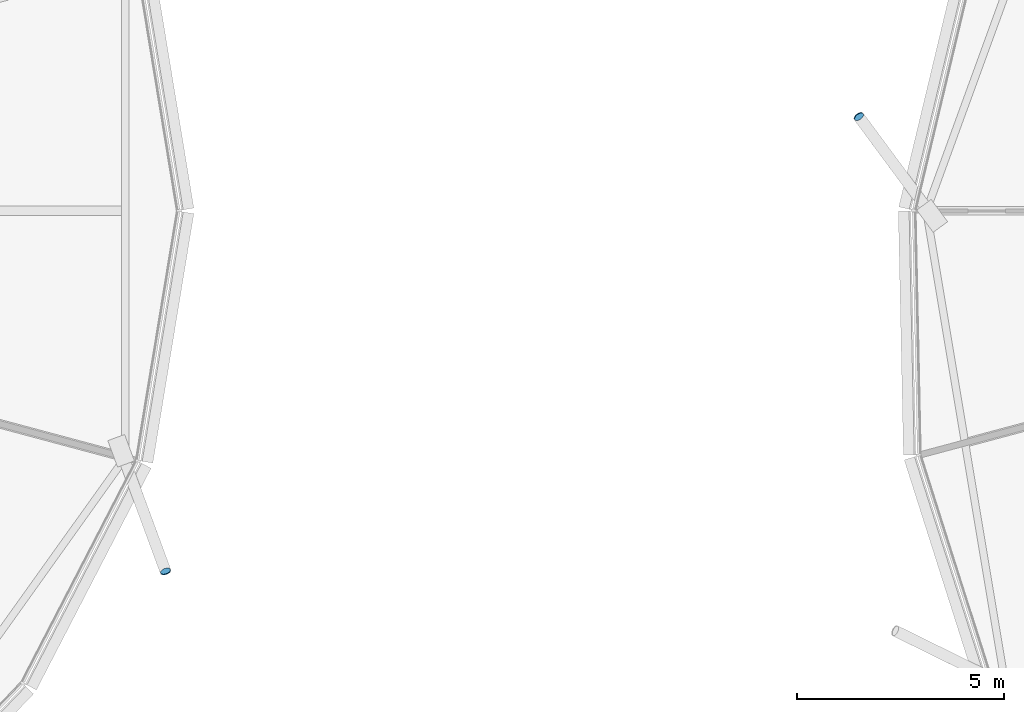
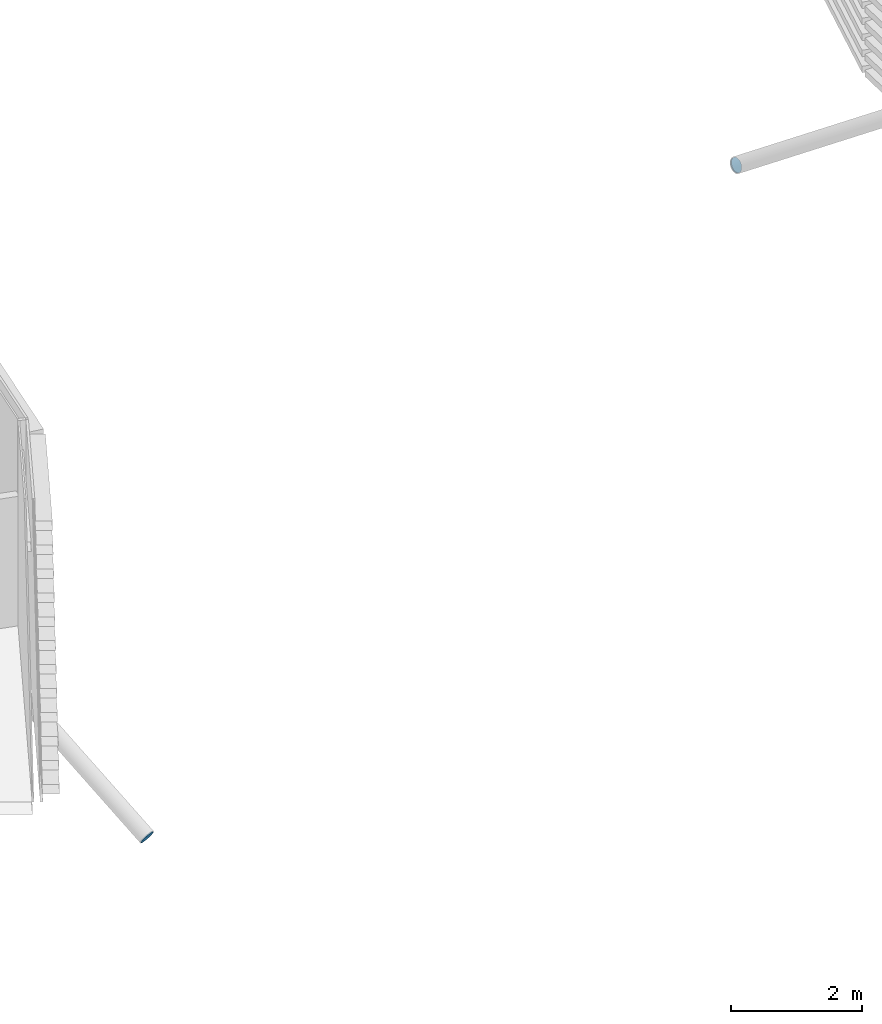
# One storey, part 28 of 39: 2 discrete accessories.
"""IFC4 building model written with IfcOpenShell, lengths in metres."""

from ifc_helpers import new_model, si_unit, direction, frame, origin, origin_2d, place, context, subcontext, project, spatial, circle, extrude, material, material_profile, profile_set, type_object, element, save


model = new_model("IFC4")

# Units and contexts
model_context = context("Model", 3, precision=1e-05, world=origin(), true_north=direction((0.0, 1.0)))
body_context = subcontext(model_context, "Body", "Model", "MODEL_VIEW")
ifc_project = project(units=[si_unit("LENGTHUNIT", "METRE"), si_unit("AREAUNIT", "SQUARE_METRE"), si_unit("VOLUMEUNIT", "CUBIC_METRE"), si_unit("PLANEANGLEUNIT", "RADIAN"), si_unit("MASSUNIT", "GRAM", prefix="KILO")], contexts=[model_context])

# Site, building, storey
site_placement = place(None, origin())
site = spatial("IfcSite", under=ifc_project, at=site_placement, CompositionType="ELEMENT")
building_placement = place(site_placement, origin())
building = spatial("IfcBuilding", under=site, at=building_placement, Name="Rimbun Link Towers", CompositionType="ELEMENT")
storey_placement = place(building_placement, frame((0.0, 0.0, 100.60009765625)))
storey = spatial("IfcBuildingStorey", under=building, at=storey_placement, Name="L24", CompositionType="ELEMENT", Elevation=100.60009765625)

# Discrete accessories
ifc_material = material(Name="Steel S355J2H", Category="steel")
ifc_material_profile = material_profile(ifc_material, circle(Radius=0.1240234375, at=origin_2d()), Name="PL D248")
ifc_profile_set = profile_set([ifc_material_profile], Name="Steel S355J2H")
discrete_accessory_type = type_object("IfcDiscreteAccessoryType", Name="Link foot sealing plate D248X20", PredefinedType="BRACKET", material=ifc_profile_set)
discrete_accessory_1_placement = place(storey_placement, frame((-8.52490234375, -8.712890625, -2.612548828125), z_axis=(0.305446406249, -0.794160656248, -0.525367818749), x_axis=(0.933345606203, 0.358979079309, 0.0)))
element("IfcDiscreteAccessory", 1, at=discrete_accessory_1_placement, inside=storey, type_object=discrete_accessory_type, Name="Link foot sealing plate T1 L24 23", PredefinedType="BRACKET", context=body_context, shape_type="SweptSolid", body=[
    extrude(circle(Radius=0.1240234375, at=origin_2d()), origin(), (0.0, 0.0, 1.0), 0.02001953125),
])
discrete_accessory_2_placement = place(storey_placement, frame((8.247802734375, 2.2744140625, -2.604248046875), z_axis=(-0.503076952119, 0.674859326013, -0.53988746081), x_axis=(-0.801745863781, -0.597665098455, 0.0)))
element("IfcDiscreteAccessory", 2, at=discrete_accessory_2_placement, inside=storey, type_object=discrete_accessory_type, Name="Link foot sealing plate T2 L24 09", PredefinedType="BRACKET", context=body_context, shape_type="SweptSolid", body=[
    extrude(circle(Radius=0.1240234375, at=origin_2d()), origin(), (0.0, 0.0, 1.0), 0.019775390625),
])

save(model, "model.ifc")
